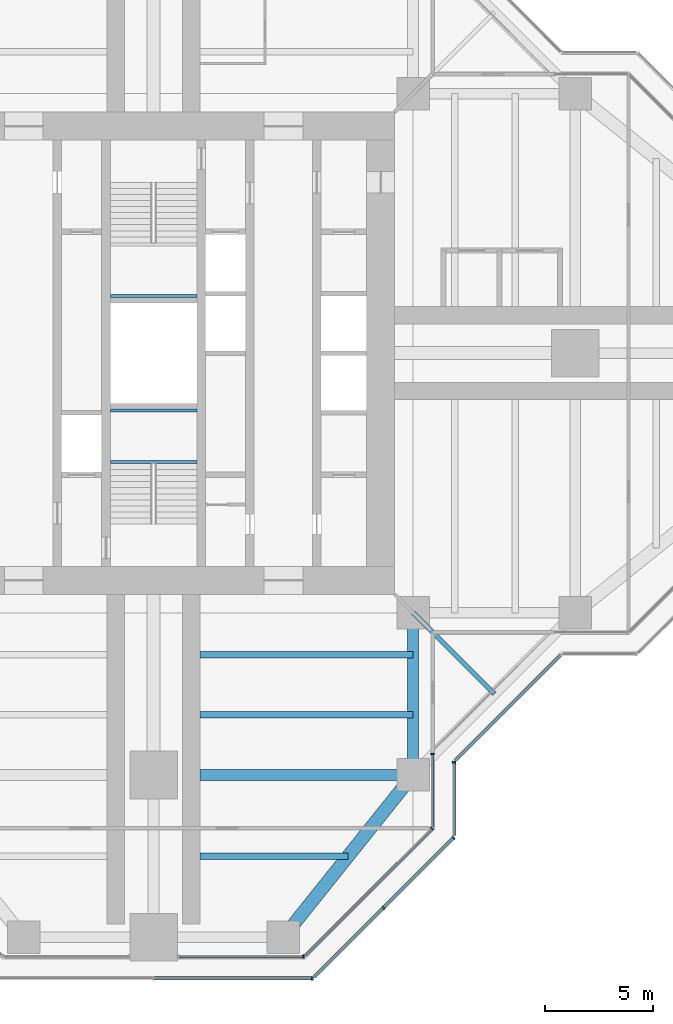
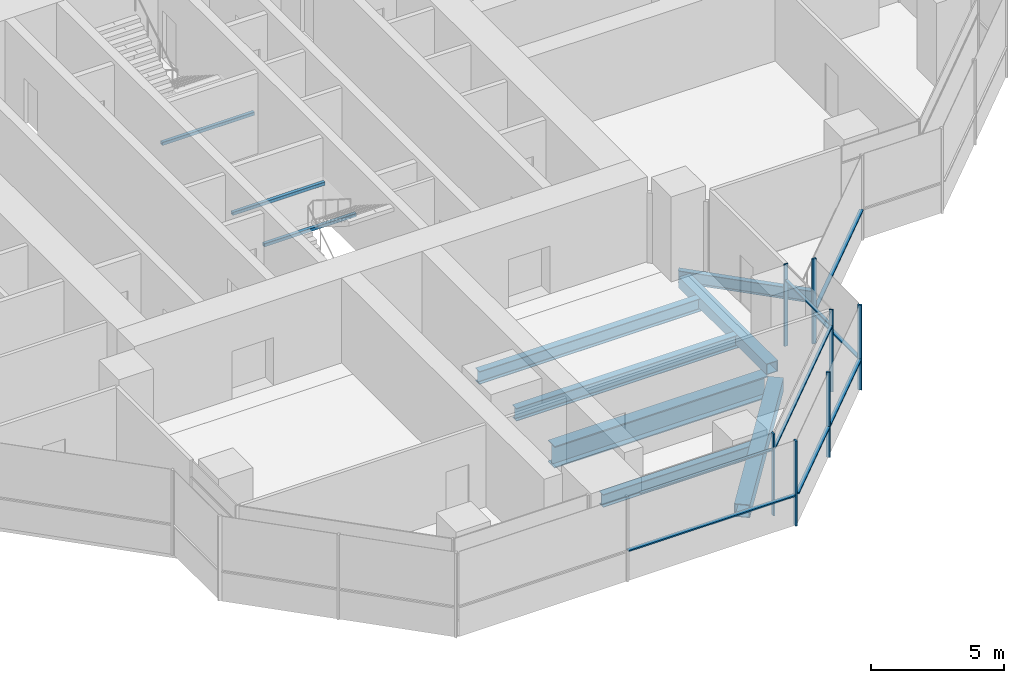
# One storey, part 4 of 17: 15 members, 10 beams, 7 elements without a shape of their own.
"""IFC4 building model written with IfcOpenShell, lengths in metres."""

from ifc_helpers import new_model, si_unit, direction, frame, origin, origin_2d, place, context, subcontext, project, spatial, rectangle, hollow_rectangle, i_section, extrude, material, material_profile, profile_set, type_object, element, aggregate, save


model = new_model("IFC4")

# Units and contexts
model_context = context("Model", 3, precision=1e-05, world=origin(), true_north=direction((0.0, 1.0)))
body_context = subcontext(model_context, "Body", "Model", "MODEL_VIEW")
ifc_project = project(units=[si_unit("LENGTHUNIT", "METRE"), si_unit("AREAUNIT", "SQUARE_METRE"), si_unit("VOLUMEUNIT", "CUBIC_METRE"), si_unit("PLANEANGLEUNIT", "RADIAN"), si_unit("MASSUNIT", "GRAM", prefix="KILO")], contexts=[model_context])

# Site, building, storey
site_placement = place(None, origin())
site = spatial("IfcSite", under=ifc_project, at=site_placement, CompositionType="ELEMENT")
building_placement = place(site_placement, origin())
building = spatial("IfcBuilding", under=site, at=building_placement, Name="Mizan Broadcast Tower", CompositionType="ELEMENT")
storey_placement = place(building_placement, frame((0.0, 0.0, 212.699951171875)))
storey = spatial("IfcBuildingStorey", under=building, at=storey_placement, Name="L49", CompositionType="ELEMENT", Elevation=212.699951171875)

# Beams
ifc_material_1 = material(Name="Steel S355", Category="steel")
ifc_material_profile_1 = material_profile(ifc_material_1, hollow_rectangle(XDim=0.5, YDim=0.5, WallThickness=0.030029296875, at=origin_2d()), Name="BOX 500x500x30")
ifc_profile_set_1 = profile_set([ifc_material_profile_1], Name="Steel S355")
beam_type_1 = type_object("IfcBeamType", Name="EDGE BEAM BOX 500x500x30", PredefinedType="SPANDREL", material=ifc_profile_set_1)
beam_1_placement = place(storey_placement, frame((12.0, -12.449951171875, -0.3798828125), z_axis=(0.0, -1.0, 0.0), x_axis=(1.0, 0.0, 0.0)))
element("IfcBeam", 1, at=beam_1_placement, inside=storey, type_object=beam_type_1, Name="Edge beam BOX 500x500x30 L49 south arm", PredefinedType="SPANDREL", context=body_context, shape_type="SweptSolid", body=[
    extrude(hollow_rectangle(XDim=0.5, YDim=0.5, WallThickness=0.030029296875, at=origin_2d()), origin(), (0.0, 0.0, 1.0), 6.60009765625),
])
ifc_material_2 = material(Name="Steel S355", Category="steel")
ifc_material_profile_2 = material_profile(ifc_material_2, hollow_rectangle(XDim=0.60009765625, YDim=0.60009765625, WallThickness=0.030029296875, at=origin_2d()), Name="BOX 600x600x30")
ifc_profile_set_2 = profile_set([ifc_material_profile_2], Name="Steel S355")
beam_type_2 = type_object("IfcBeamType", Name="EDGE BEAM BOX 600x600x30", PredefinedType="SPANDREL", material=ifc_profile_set_2)
beam_2_placement = place(storey_placement, frame((11.639892578125, -19.949951171875, -0.429931640625), z_axis=(-0.624673911726, -0.780885717636, 0.0), x_axis=(0.780885717636, -0.624673911726, 0.0)))
element("IfcBeam", 2, at=beam_2_placement, inside=storey, type_object=beam_type_2, Name="Edge beam BOX 600x600x30 L49 south arm", PredefinedType="SPANDREL", context=body_context, shape_type="SweptSolid", body=[
    extrude(hollow_rectangle(XDim=0.60009765625, YDim=0.60009765625, WallThickness=0.030029296875, at=origin_2d()), origin(), (0.0, 0.0, 1.0), 8.4521484375),
])
ifc_material_3 = material(Name="Steel S460", Category="steel")
ifc_material_profile_3 = material_profile(ifc_material_3, i_section(OverallWidth=0.5, OverallDepth=1.0, WebThickness=0.02490234375, FlangeThickness=0.050048828125, at=origin_2d()), Name="WPG 1000x500")
ifc_profile_set_3 = profile_set([ifc_material_profile_3], Name="Steel S460")
beam_type_3 = type_object("IfcBeamType", Name="GIRDER WPG 1000x500", PredefinedType="BEAM", material=ifc_profile_set_3)
beam_3_placement = place(storey_placement, frame((11.408935546875, -19.5, -0.6298828125), z_axis=(-1.0, 0.0, 0.0), x_axis=(0.0, -1.0, 0.0)))
element("IfcBeam", 3, at=beam_3_placement, inside=storey, type_object=beam_type_3, Name="Girder WPG 1000x500 L49 south arm", PredefinedType="BEAM", context=body_context, shape_type="SweptSolid", body=[
    extrude(i_section(OverallWidth=0.5, OverallDepth=1.0, WebThickness=0.02490234375, FlangeThickness=0.050048828125, at=origin_2d()), origin(), (0.0, 0.0, 1.0), 9.259033203125),
])

# Curtain wall, member
ifc_material_4 = material(Name="Aluminium framed glazing", Category="aluminium")
curtain_wall_type_1 = type_object("IfcCurtainWallType", Name="INNER SKIN HIGH ZONE", PredefinedType="USERDEFINED", material=ifc_material_4)
curtain_wall_1_placement = place(storey_placement, origin())
curtain_wall_1 = element("IfcCurtainWall", 4, at=curtain_wall_1_placement, inside=storey, type_object=curtain_wall_type_1, Name="Inner skin high zone L49 S end", ObjectType="INNER SKIN HIGH ZONE", PredefinedType="USERDEFINED")
ifc_material_5 = material(Name="Aluminium, pale anodised", Category="aluminium")
ifc_material_profile_4 = material_profile(ifc_material_5, rectangle(XDim=0.159912109375, YDim=0.06005859375, at=origin_2d()), Name="MULLION 160x60")
ifc_profile_set_4 = profile_set([ifc_material_profile_4], Name="Aluminium, pale anodised")
member_type_1 = type_object("IfcMemberType", Name="INNER SKIN MULLION 60x160", PredefinedType="MULLION", material=ifc_profile_set_4)
member_1_placement = place(storey_placement, frame((6.928466796875, -27.89990234375, 0.0), z_axis=(0.0, 0.0, 1.0), x_axis=(0.0, 1.0, 0.0)))
member_1 = element("IfcMember", 5, at=member_1_placement, type_object=member_type_1, Name="Inner skin high zone L49 S end mullion 2", PredefinedType="MULLION", context=body_context, shape_type="SweptSolid", body=[
    extrude(rectangle(XDim=0.159912109375, YDim=0.06005859375, at=origin_2d()), origin(), (0.0, 0.0, 1.0), 3.77001953125),
])

curtain_wall_2_placement = place(storey_placement, origin())
curtain_wall_2 = element("IfcCurtainWall", 6, at=curtain_wall_2_placement, inside=storey, type_object=curtain_wall_type_1, Name="Inner skin high zone L49 S chamfer", ObjectType="INNER SKIN HIGH ZONE", PredefinedType="USERDEFINED")
member_2_placement = place(storey_placement, frame((12.87890625, -21.979736328125, 0.0), z_axis=(0.0, 0.0, 1.0), x_axis=(-0.707106781187, 0.707106781187, 0.0)))
member_2 = element("IfcMember", 7, at=member_2_placement, type_object=member_type_1, Name="Inner skin high zone L49 S chamfer mullion 2", PredefinedType="MULLION", context=body_context, shape_type="SweptSolid", body=[
    extrude(rectangle(XDim=0.159912109375, YDim=0.06005859375, at=origin_2d()), origin(), (0.0, 0.0, 1.0), 3.77001953125),
])

curtain_wall_3_placement = place(storey_placement, origin())
curtain_wall_3 = element("IfcCurtainWall", 8, at=curtain_wall_3_placement, inside=storey, type_object=curtain_wall_type_1, Name="Inner skin high zone L49 S side", ObjectType="INNER SKIN HIGH ZONE", PredefinedType="USERDEFINED")
member_3_placement = place(storey_placement, frame((12.89990234375, -18.530029296875, 0.0), z_axis=(0.0, 0.0, 1.0), x_axis=(-1.0, 0.0, 0.0)))
member_3 = element("IfcMember", 9, at=member_3_placement, type_object=member_type_1, Name="Inner skin high zone L49 S side mullion 2", PredefinedType="MULLION", context=body_context, shape_type="SweptSolid", body=[
    extrude(rectangle(XDim=0.159912109375, YDim=0.06005859375, at=origin_2d()), origin(), (0.0, 0.0, 1.0), 3.77001953125),
])

# Member
ifc_material_6 = material(Name="Aluminium, pale anodised", Category="aluminium")
ifc_material_profile_5 = material_profile(ifc_material_6, rectangle(XDim=0.1201171875, YDim=0.06005859375, at=origin_2d()), Name="TRANSOM 120x60")
ifc_profile_set_5 = profile_set([ifc_material_profile_5], Name="Aluminium, pale anodised")
member_type_2 = type_object("IfcMemberType", Name="INNER SKIN TRANSOM 60x120", PredefinedType="USERDEFINED", material=ifc_profile_set_5)
member_4_placement = place(storey_placement, frame((1.159912109375, -27.89990234375, 3.030029296875), z_axis=(1.0, 0.0, 0.0), x_axis=(0.0, 1.0, 0.0)))
member_4 = element("IfcMember", 10, at=member_4_placement, type_object=member_type_2, Name="Inner skin high zone L49 S end transom 1.1", ObjectType="TRANSOM", PredefinedType="USERDEFINED", context=body_context, shape_type="SweptSolid", body=[
    extrude(rectangle(XDim=0.1201171875, YDim=0.06005859375, at=origin_2d()), origin(), (0.0, 0.0, 1.0), 5.73876953125),
])

aggregate(curtain_wall_1, [member_1, member_4])

member_5_placement = place(storey_placement, frame((7.0009765625, -27.857666015625, 3.030029296875), z_axis=(0.707106781187, 0.707106781187, 0.0), x_axis=(-0.707106781187, 0.707106781187, 0.0)))
member_5 = element("IfcMember", 11, at=member_5_placement, type_object=member_type_2, Name="Inner skin high zone L49 S chamfer transom 1.1", ObjectType="TRANSOM", PredefinedType="USERDEFINED", context=body_context, shape_type="SweptSolid", body=[
    extrude(rectangle(XDim=0.1201171875, YDim=0.06005859375, at=origin_2d()), origin(), (0.0, 0.0, 1.0), 8.28271484375),
])

aggregate(curtain_wall_2, [member_2, member_5])

member_6_placement = place(storey_placement, frame((12.89990234375, -21.898681640625, 3.030029296875), z_axis=(0.0, 1.0, 0.0), x_axis=(-1.0, 0.0, 0.0)))
member_6 = element("IfcMember", 12, at=member_6_placement, type_object=member_type_2, Name="Inner skin high zone L49 S side transom 1.1", ObjectType="TRANSOM", PredefinedType="USERDEFINED", context=body_context, shape_type="SweptSolid", body=[
    extrude(rectangle(XDim=0.1201171875, YDim=0.06005859375, at=origin_2d()), origin(), (0.0, 0.0, 1.0), 3.338623046875),
])

aggregate(curtain_wall_3, [member_3, member_6])

# Beams
ifc_material_7 = material(Name="Steel S355", Category="steel")
ifc_material_profile_6 = material_profile(ifc_material_7, hollow_rectangle(XDim=0.14990234375, YDim=0.14990234375, WallThickness=0.008056640625, InnerFilletRadius=0.008056640625, OuterFilletRadius=0.011962890625, at=origin_2d()), Name="SHS 150x150x8")
ifc_profile_set_6 = profile_set([ifc_material_profile_6], Name="Steel S355")
beam_type_4 = type_object("IfcBeamType", Name="LANDING TRIMMER SHS 150x150x8", PredefinedType="BEAM", material=ifc_profile_set_6)
for number, where, z_axis, x_axis, name in (
    (13, (-2.0, -5.02490234375, 1.675048828125), (1.0, 0.0, 0.0), (0.0, 1.0, 0.0), "Stair A landing trimmer L49"),
    (14, (-2.0, -2.64990234375, 1.675048828125), (1.0, 0.0, 0.0), (0.0, 1.0, 0.0), "Stair A landing trimmer L49"),
    (15, (2.0, 2.64990234375, 1.675048828125), (-1.0, 0.0, 0.0), (0.0, -1.0, 0.0), "Stair B landing trimmer L49"),
):
    element("IfcBeam", number, at=place(storey_placement, frame(where, z_axis=z_axis, x_axis=x_axis)), inside=storey, type_object=beam_type_4, Name=name, PredefinedType="BEAM", context=body_context, shape_type="SweptSolid", body=[
        extrude(hollow_rectangle(XDim=0.14990234375, YDim=0.14990234375, WallThickness=0.008056640625, InnerFilletRadius=0.008056640625, OuterFilletRadius=0.011962890625, at=origin_2d()), origin(), (0.0, 0.0, 1.0), 4.0),
    ])

# Curtain wall, member
ifc_material_8 = material(Name="Aluminium framed glazing", Category="aluminium")
curtain_wall_type_2 = type_object("IfcCurtainWallType", Name="OUTER SKIN", PredefinedType="USERDEFINED", material=ifc_material_8)
curtain_wall_4_placement = place(storey_placement, origin())
curtain_wall_4 = element("IfcCurtainWall", 16, at=curtain_wall_4_placement, inside=storey, type_object=curtain_wall_type_2, Name="Outer skin L49 S end", ObjectType="OUTER SKIN", PredefinedType="USERDEFINED")
ifc_material_9 = material(Name="Aluminium, pale anodised", Category="aluminium")
ifc_material_profile_7 = material_profile(ifc_material_9, rectangle(XDim=0.159912109375, YDim=0.080078125, at=origin_2d()), Name="MULLION 160x80")
ifc_profile_set_7 = profile_set([ifc_material_profile_7], Name="Aluminium, pale anodised")
member_type_3 = type_object("IfcMemberType", Name="OUTER SKIN MULLION 80x160", PredefinedType="MULLION", material=ifc_profile_set_7)
member_7_placement = place(storey_placement, frame((7.332763671875, -28.89990234375, 0.0), z_axis=(0.0, 0.0, 1.0), x_axis=(0.0, 1.0, 0.0)))
member_7 = element("IfcMember", 17, at=member_7_placement, type_object=member_type_3, Name="Outer skin L49 S end mullion 3", PredefinedType="MULLION", context=body_context, shape_type="SweptSolid", body=[
    extrude(rectangle(XDim=0.159912109375, YDim=0.080078125, at=origin_2d()), origin(), (0.0, 0.0, 1.0), 3.900146484375),
])

# Curtain wall, members
curtain_wall_5_placement = place(storey_placement, origin())
curtain_wall_5 = element("IfcCurtainWall", 18, at=curtain_wall_5_placement, inside=storey, type_object=curtain_wall_type_2, Name="Outer skin L49 S chamfer", ObjectType="OUTER SKIN", PredefinedType="USERDEFINED")
member_8_placement = place(storey_placement, frame((10.636474609375, -25.636474609375, 0.0), z_axis=(0.0, 0.0, 1.0), x_axis=(-0.707106781187, 0.707106781187, 0.0)))
member_8 = element("IfcMember", 19, at=member_8_placement, type_object=member_type_3, Name="Outer skin L49 S chamfer mullion 2", PredefinedType="MULLION", context=body_context, shape_type="SweptSolid", body=[
    extrude(rectangle(XDim=0.159912109375, YDim=0.080078125, at=origin_2d()), origin(), (0.0, 0.0, 1.0), 3.900146484375),
])
member_9_placement = place(storey_placement, frame((13.871826171875, -22.401123046875, 0.0), z_axis=(0.0, 0.0, 1.0), x_axis=(-0.707106781187, 0.707106781187, 0.0)))
member_9 = element("IfcMember", 20, at=member_9_placement, type_object=member_type_3, Name="Outer skin L49 S chamfer mullion 3", PredefinedType="MULLION", context=body_context, shape_type="SweptSolid", body=[
    extrude(rectangle(XDim=0.159912109375, YDim=0.080078125, at=origin_2d()), origin(), (0.0, 0.0, 1.0), 3.900146484375),
])

# Curtain wall, member
curtain_wall_6_placement = place(storey_placement, origin())
curtain_wall_6 = element("IfcCurtainWall", 21, at=curtain_wall_6_placement, inside=storey, type_object=curtain_wall_type_2, Name="Outer skin L49 S side", ObjectType="OUTER SKIN", PredefinedType="USERDEFINED")
member_10_placement = place(storey_placement, frame((13.89990234375, -18.912841796875, 0.0), z_axis=(0.0, 0.0, 1.0), x_axis=(-1.0, 0.0, 0.0)))
member_10 = element("IfcMember", 22, at=member_10_placement, type_object=member_type_3, Name="Outer skin L49 S side mullion 2", PredefinedType="MULLION", context=body_context, shape_type="SweptSolid", body=[
    extrude(rectangle(XDim=0.159912109375, YDim=0.080078125, at=origin_2d()), origin(), (0.0, 0.0, 1.0), 3.900146484375),
])

# Member
ifc_material_10 = material(Name="Aluminium, pale anodised", Category="aluminium")
ifc_material_profile_8 = material_profile(ifc_material_10, rectangle(XDim=0.159912109375, YDim=0.06005859375, at=origin_2d()), Name="TRANSOM 160x60")
ifc_profile_set_8 = profile_set([ifc_material_profile_8], Name="Aluminium, pale anodised")
member_type_4 = type_object("IfcMemberType", Name="OUTER SKIN TRANSOM 60x160", PredefinedType="USERDEFINED", material=ifc_profile_set_8)
member_11_placement = place(storey_placement, frame((0.0400390625, -28.89990234375, 1.400146484375), z_axis=(1.0, 0.0, 0.0), x_axis=(0.0, 1.0, 0.0)))
member_11 = element("IfcMember", 23, at=member_11_placement, type_object=member_type_4, Name="Outer skin L49 S end transom 2.1", ObjectType="TRANSOM", PredefinedType="USERDEFINED", context=body_context, shape_type="SweptSolid", body=[
    extrude(rectangle(XDim=0.159912109375, YDim=0.06005859375, at=origin_2d()), origin(), (0.0, 0.0, 1.0), 7.252685546875),
])

aggregate(curtain_wall_4, [member_7, member_11])

member_12_placement = place(storey_placement, frame((7.429443359375, -28.843505859375, 1.400146484375), z_axis=(0.707106781187, 0.707106781187, 0.0), x_axis=(-0.707106781187, 0.707106781187, 0.0)))
member_12 = element("IfcMember", 24, at=member_12_placement, type_object=member_type_4, Name="Outer skin L49 S chamfer transom 1.1", ObjectType="TRANSOM", PredefinedType="USERDEFINED", context=body_context, shape_type="SweptSolid", body=[
    extrude(rectangle(XDim=0.159912109375, YDim=0.06005859375, at=origin_2d()), origin(), (0.0, 0.0, 1.0), 4.495361328125),
])

member_13_placement = place(storey_placement, frame((10.664794921875, -25.608154296875, 1.400146484375), z_axis=(0.707106781187, 0.707106781187, 0.0), x_axis=(-0.707106781187, 0.707106781187, 0.0)))
member_13 = element("IfcMember", 25, at=member_13_placement, type_object=member_type_4, Name="Outer skin L49 S chamfer transom 2.1", ObjectType="TRANSOM", PredefinedType="USERDEFINED", context=body_context, shape_type="SweptSolid", body=[
    extrude(rectangle(XDim=0.159912109375, YDim=0.06005859375, at=origin_2d()), origin(), (0.0, 0.0, 1.0), 4.495361328125),
])

aggregate(curtain_wall_5, [member_8, member_9, member_12, member_13])

member_14_placement = place(storey_placement, frame((13.89990234375, -22.292724609375, 1.400146484375), z_axis=(0.0, 1.0, 0.0), x_axis=(-1.0, 0.0, 0.0)))
member_14 = element("IfcMember", 26, at=member_14_placement, type_object=member_type_4, Name="Outer skin L49 S side transom 1.1", ObjectType="TRANSOM", PredefinedType="USERDEFINED", context=body_context, shape_type="SweptSolid", body=[
    extrude(rectangle(XDim=0.159912109375, YDim=0.06005859375, at=origin_2d()), origin(), (0.0, 0.0, 1.0), 3.33984375),
])

aggregate(curtain_wall_6, [member_10, member_14])

# Curtain wall, member
curtain_wall_7_placement = place(storey_placement, origin())
curtain_wall_7 = element("IfcCurtainWall", 27, at=curtain_wall_7_placement, inside=storey, type_object=curtain_wall_type_2, Name="Outer skin L49 E chamfer", ObjectType="OUTER SKIN", PredefinedType="USERDEFINED")
member_15_placement = place(storey_placement, frame((13.95654296875, -18.816162109375, 1.400146484375), z_axis=(0.707106781187, 0.707106781187, 0.0), x_axis=(-0.707106781187, 0.707106781187, 0.0)))
member_15 = element("IfcMember", 28, at=member_15_placement, type_object=member_type_4, Name="Outer skin L49 E chamfer transom 1.1", ObjectType="TRANSOM", PredefinedType="USERDEFINED", context=body_context, shape_type="SweptSolid", body=[
    extrude(rectangle(XDim=0.159912109375, YDim=0.06005859375, at=origin_2d()), origin(), (0.0, 0.0, 1.0), 6.87255859375),
])
aggregate(curtain_wall_7, [member_15])

# Beams
ifc_material_11 = material(Name="Steel S355", Category="steel")
ifc_material_profile_9 = material_profile(ifc_material_11, i_section(OverallWidth=0.300048828125, OverallDepth=0.590087890625, WebThickness=0.012939453125, FlangeThickness=0.02490234375, FilletRadius=0.027099609375, at=origin_2d()), Name="HEA 600")
ifc_profile_set_9 = profile_set([ifc_material_profile_9], Name="Steel S355")
beam_type_5 = type_object("IfcBeamType", Name="SECONDARY BEAM HEA 600", PredefinedType="JOIST", material=ifc_profile_set_9)
for number, where, z_axis, x_axis, name in (
    (29, (12.0, -13.933349609375, -0.425048828125), (-1.0, 0.0, 0.0), (0.0, -1.0, 0.0), "Secondary beam HEA 600 L49 south arm"),
    (30, (12.0, -16.716552734375, -0.425048828125), (-1.0, 0.0, 0.0), (0.0, -1.0, 0.0), "Secondary beam HEA 600 L49 south arm"),
):
    element("IfcBeam", number, at=place(storey_placement, frame(where, z_axis=z_axis, x_axis=x_axis)), inside=storey, type_object=beam_type_5, Name=name, PredefinedType="JOIST", context=body_context, shape_type="SweptSolid", body=[
        extrude(i_section(OverallWidth=0.300048828125, OverallDepth=0.590087890625, WebThickness=0.012939453125, FlangeThickness=0.02490234375, FilletRadius=0.027099609375, at=origin_2d()), origin(), (0.0, 0.0, 1.0), 9.85009765625),
    ])
beam_4_placement = place(storey_placement, frame((9.0, -23.25, -0.425048828125), z_axis=(-1.0, 0.0, 0.0), x_axis=(0.0, -1.0, 0.0)))
element("IfcBeam", 31, at=beam_4_placement, inside=storey, type_object=beam_type_5, Name="Secondary beam HEA 600 L49 south arm", PredefinedType="JOIST", context=body_context, shape_type="SweptSolid", body=[
    extrude(i_section(OverallWidth=0.300048828125, OverallDepth=0.590087890625, WebThickness=0.012939453125, FlangeThickness=0.02490234375, FilletRadius=0.027099609375, at=origin_2d()), origin(), (0.0, 0.0, 1.0), 6.85009765625),
])
ifc_material_12 = material(Name="Steel S355", Category="steel")
ifc_material_profile_10 = material_profile(ifc_material_12, i_section(OverallWidth=0.2099609375, OverallDepth=0.550048828125, WebThickness=0.010986328125, FlangeThickness=0.01708984375, FilletRadius=0.02392578125, at=origin_2d()), Name="IPE 550")
ifc_profile_set_10 = profile_set([ifc_material_profile_10], Name="Steel S355")
beam_type_6 = type_object("IfcBeamType", Name="SECONDARY BEAM IPE 550", PredefinedType="JOIST", material=ifc_profile_set_10)
beam_5_placement = place(storey_placement, frame((12.0, -12.0, -0.405029296875), z_axis=(0.707106781187, -0.707106781187, 0.0), x_axis=(0.707106781187, 0.707106781187, 0.0)))
element("IfcBeam", 32, at=beam_5_placement, inside=storey, type_object=beam_type_6, Name="Winter garden beam L49 S", PredefinedType="JOIST", context=body_context, shape_type="SweptSolid", body=[
    extrude(i_section(OverallWidth=0.2099609375, OverallDepth=0.550048828125, WebThickness=0.010986328125, FlangeThickness=0.01708984375, FilletRadius=0.02392578125, at=origin_2d()), origin(), (0.0, 0.0, 1.0), 5.30322265625),
])

save(model, "model.ifc")
